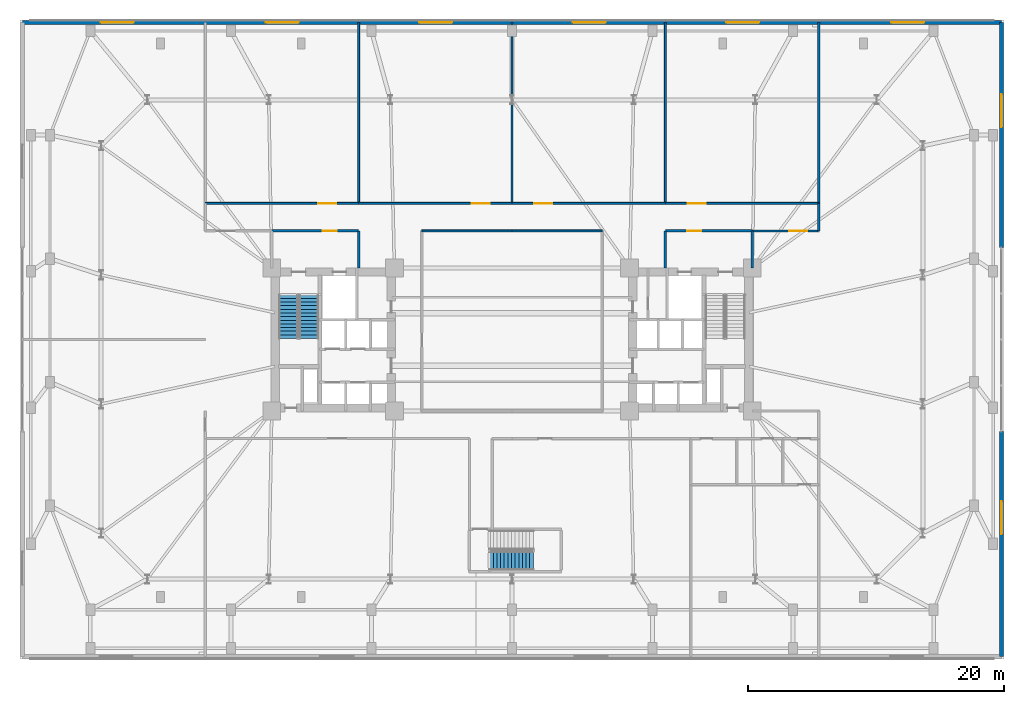
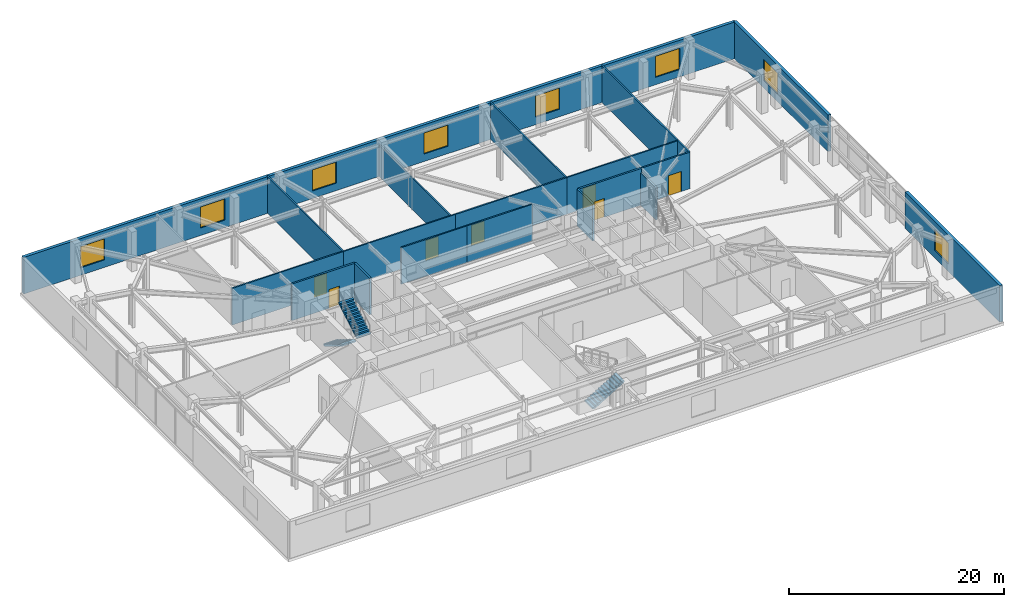
# One storey, part 17 of 23: 20 walls, 8 windows, 7 doors, 3 stair flights, 15 openings, 2 elements without a shape of their own.
"""IFC4 building model written with IfcOpenShell, lengths in metres."""

from ifc_helpers import new_model, si_unit, direction, frame, frame_2d, origin, place, context, subcontext, project, spatial, polyline, rectangle, outline, extrude, material, layer, layer_set, type_object, element, fill, aggregate, save


model = new_model("IFC4")

# Units and contexts
model_context = context("Model", 3, precision=1e-05, world=origin(), true_north=direction((0.0, 1.0)))
body_context = subcontext(model_context, "Body", "Model", "MODEL_VIEW")
ifc_project = project(units=[si_unit("LENGTHUNIT", "METRE"), si_unit("AREAUNIT", "SQUARE_METRE"), si_unit("VOLUMEUNIT", "CUBIC_METRE"), si_unit("PLANEANGLEUNIT", "RADIAN"), si_unit("MASSUNIT", "GRAM", prefix="KILO")], contexts=[model_context])

# Site, building, storey
site_placement = place(None, origin())
site = spatial("IfcSite", under=ifc_project, at=site_placement, CompositionType="ELEMENT")
building_placement = place(site_placement, origin())
building = spatial("IfcBuilding", under=site, at=building_placement, Name="Qobustan Lattice House", CompositionType="ELEMENT")
storey_placement = place(building_placement, frame((0.0, 0.0, 9.0)))
storey = spatial("IfcBuildingStorey", under=building, at=storey_placement, Name="L02", CompositionType="ELEMENT", Elevation=9.0)

# Wall, openings, windows
ifc_material_1 = material(Name="Precast concrete C40/50", Category="concrete")
ifc_layer_1 = layer(ifc_material_1, 0.320068359375)
ifc_layer_set_1 = layer_set([ifc_layer_1], Name="Precast concrete C40/50")
wall_type_1 = type_object("IfcWallType", Name="WAL-EXT-STONE-320", PredefinedType="SOLIDWALL", material=ifc_layer_set_1)
wall_1_placement = place(storey_placement, frame((-38.300048828125, 24.800048828125, 0.0), z_axis=(0.0, 0.0, 1.0), x_axis=(1.0, 0.0, 0.0)))
wall_1 = element("IfcWall", 1, at=wall_1_placement, inside=storey, type_object=wall_type_1, Name="L02 exterior limestone-clad wall 2", PredefinedType="SOLIDWALL", context=body_context, shape_type="SweptSolid", body=[
    extrude(rectangle(XDim=76.60009765625, YDim=0.320068359375, at=frame_2d((38.300048828125, 0.0))), origin(), (0.0, 0.0, 1.0), 4.169921875),
])
opening_1_placement = place(wall_1_placement, frame((6.10400390625, 0.0, 0.85009765625)))
opening_1 = element("IfcOpeningElement", 2, at=opening_1_placement, cuts=wall_1, Name="Opening WN-06", PredefinedType="OPENING", context=body_context, shape_type="SweptSolid", body=[
    extrude(rectangle(XDim=2.60009765625, YDim=2.39990234375, at=frame_2d((1.300048828125, 1.199951171875))), frame((0.0, 0.169921875, 0.0), z_axis=(0.0, -1.0, 0.0), x_axis=(1.0, 0.0, 0.0)), (0.0, 0.0, 1.0), 0.340087890625),
])
opening_2_placement = place(wall_1_placement, frame((19.030517578125, 0.0, 0.85009765625)))
opening_2 = element("IfcOpeningElement", 3, at=opening_2_placement, cuts=wall_1, Name="Opening WN-06", PredefinedType="OPENING", context=body_context, shape_type="SweptSolid", body=[
    extrude(rectangle(XDim=2.60009765625, YDim=2.39990234375, at=frame_2d((1.300048828125, 1.199951171875))), frame((0.0, 0.169921875, 0.0), z_axis=(0.0, -1.0, 0.0), x_axis=(1.0, 0.0, 0.0)), (0.0, 0.0, 1.0), 0.340087890625),
])
opening_3_placement = place(wall_1_placement, frame((31.036865234375, 0.0, 0.85009765625)))
opening_3 = element("IfcOpeningElement", 4, at=opening_3_placement, cuts=wall_1, Name="Opening WN-06", PredefinedType="OPENING", context=body_context, shape_type="SweptSolid", body=[
    extrude(rectangle(XDim=2.60009765625, YDim=2.39990234375, at=frame_2d((1.300048828125, 1.199951171875))), frame((0.0, 0.169921875, 0.0), z_axis=(0.0, -1.0, 0.0), x_axis=(1.0, 0.0, 0.0)), (0.0, 0.0, 1.0), 0.340087890625),
])
opening_4_placement = place(wall_1_placement, frame((43.043212890625, 0.0, 0.85009765625)))
opening_4 = element("IfcOpeningElement", 5, at=opening_4_placement, cuts=wall_1, Name="Opening WN-06", PredefinedType="OPENING", context=body_context, shape_type="SweptSolid", body=[
    extrude(rectangle(XDim=2.60009765625, YDim=2.39990234375, at=frame_2d((1.300048828125, 1.199951171875))), frame((0.0, 0.169921875, 0.0), z_axis=(0.0, -1.0, 0.0), x_axis=(1.0, 0.0, 0.0)), (0.0, 0.0, 1.0), 0.340087890625),
])
opening_5_placement = place(wall_1_placement, frame((55.04931640625, 0.0, 0.85009765625)))
opening_5 = element("IfcOpeningElement", 6, at=opening_5_placement, cuts=wall_1, Name="Opening WN-06", PredefinedType="OPENING", context=body_context, shape_type="SweptSolid", body=[
    extrude(rectangle(XDim=2.60009765625, YDim=2.39990234375, at=frame_2d((1.300048828125, 1.199951171875))), frame((0.0, 0.169921875, 0.0), z_axis=(0.0, -1.0, 0.0), x_axis=(1.0, 0.0, 0.0)), (0.0, 0.0, 1.0), 0.340087890625),
])
opening_6_placement = place(wall_1_placement, frame((67.976318359375, 0.0, 0.85009765625)))
opening_6 = element("IfcOpeningElement", 7, at=opening_6_placement, cuts=wall_1, Name="Opening WN-06", PredefinedType="OPENING", context=body_context, shape_type="SweptSolid", body=[
    extrude(rectangle(XDim=2.60009765625, YDim=2.39990234375, at=frame_2d((1.300048828125, 1.199951171875))), frame((0.0, 0.169921875, 0.0), z_axis=(0.0, -1.0, 0.0), x_axis=(1.0, 0.0, 0.0)), (0.0, 0.0, 1.0), 0.340087890625),
])
ifc_material_2 = material(Name="Double-glazed low-E aluminium window", Category="aluminium")
window_type = type_object("IfcWindowType", Name="WIN-POD-2600x2400", PartitioningType="SINGLE_PANEL", PredefinedType="WINDOW", material=ifc_material_2)
window_1_placement = place(opening_1_placement, origin())
window_1 = element("IfcWindow", 8, at=window_1_placement, inside=storey, type_object=window_type, Name="L02 3D printing and laser workshop window", OverallHeight=2.39990234375, OverallWidth=2.60009765625, PartitioningType="SINGLE_PANEL", PredefinedType="WINDOW", context=body_context, shape_type="SweptSolid", body=[
    extrude(rectangle(XDim=2.60009765625, YDim=2.39990234375, at=frame_2d((1.300048828125, 1.199951171875))), frame((0.0, 0.030029296875, 0.0), z_axis=(0.0, -1.0, 0.0), x_axis=(1.0, 0.0, 0.0)), (0.0, 0.0, 1.0), 0.06005859375),
])
fill(opening_1, window_1)
window_2_placement = place(opening_2_placement, origin())
window_2 = element("IfcWindow", 9, at=window_2_placement, inside=storey, type_object=window_type, Name="L02 Design studio A window", OverallHeight=2.39990234375, OverallWidth=2.60009765625, PartitioningType="SINGLE_PANEL", PredefinedType="WINDOW", context=body_context, shape_type="SweptSolid", body=[
    extrude(rectangle(XDim=2.60009765625, YDim=2.39990234375, at=frame_2d((1.300048828125, 1.199951171875))), frame((0.0, 0.030029296875, 0.0), z_axis=(0.0, -1.0, 0.0), x_axis=(1.0, 0.0, 0.0)), (0.0, 0.0, 1.0), 0.06005859375),
])
fill(opening_2, window_2)
window_3_placement = place(opening_3_placement, origin())
window_3 = element("IfcWindow", 10, at=window_3_placement, inside=storey, type_object=window_type, Name="L02 Design studio B window", OverallHeight=2.39990234375, OverallWidth=2.60009765625, PartitioningType="SINGLE_PANEL", PredefinedType="WINDOW", context=body_context, shape_type="SweptSolid", body=[
    extrude(rectangle(XDim=2.60009765625, YDim=2.39990234375, at=frame_2d((1.300048828125, 1.199951171875))), frame((0.0, 0.030029296875, 0.0), z_axis=(0.0, -1.0, 0.0), x_axis=(1.0, 0.0, 0.0)), (0.0, 0.0, 1.0), 0.06005859375),
])
fill(opening_3, window_3)
window_4_placement = place(opening_4_placement, origin())
window_4 = element("IfcWindow", 11, at=window_4_placement, inside=storey, type_object=window_type, Name="L02 Robotics laboratory window", OverallHeight=2.39990234375, OverallWidth=2.60009765625, PartitioningType="SINGLE_PANEL", PredefinedType="WINDOW", context=body_context, shape_type="SweptSolid", body=[
    extrude(rectangle(XDim=2.60009765625, YDim=2.39990234375, at=frame_2d((1.300048828125, 1.199951171875))), frame((0.0, 0.030029296875, 0.0), z_axis=(0.0, -1.0, 0.0), x_axis=(1.0, 0.0, 0.0)), (0.0, 0.0, 1.0), 0.06005859375),
])
fill(opening_4, window_4)
window_5_placement = place(opening_5_placement, origin())
window_5 = element("IfcWindow", 12, at=window_5_placement, inside=storey, type_object=window_type, Name="L02 Electronics workshop window", OverallHeight=2.39990234375, OverallWidth=2.60009765625, PartitioningType="SINGLE_PANEL", PredefinedType="WINDOW", context=body_context, shape_type="SweptSolid", body=[
    extrude(rectangle(XDim=2.60009765625, YDim=2.39990234375, at=frame_2d((1.300048828125, 1.199951171875))), frame((0.0, 0.030029296875, 0.0), z_axis=(0.0, -1.0, 0.0), x_axis=(1.0, 0.0, 0.0)), (0.0, 0.0, 1.0), 0.06005859375),
])
fill(opening_5, window_5)
window_6_placement = place(opening_6_placement, origin())
window_6 = element("IfcWindow", 13, at=window_6_placement, inside=storey, type_object=window_type, Name="L02 Design exhibition hall window", OverallHeight=2.39990234375, OverallWidth=2.60009765625, PartitioningType="SINGLE_PANEL", PredefinedType="WINDOW", context=body_context, shape_type="SweptSolid", body=[
    extrude(rectangle(XDim=2.60009765625, YDim=2.39990234375, at=frame_2d((1.300048828125, 1.199951171875))), frame((0.0, 0.030029296875, 0.0), z_axis=(0.0, -1.0, 0.0), x_axis=(1.0, 0.0, 0.0)), (0.0, 0.0, 1.0), 0.06005859375),
])
fill(opening_6, window_6)

# Wall, opening, window
wall_2_placement = place(storey_placement, frame((38.300048828125, 24.800048828125, 0.0), z_axis=(0.0, 0.0, 1.0), x_axis=(0.0, -1.0, 0.0)))
wall_2 = element("IfcWall", 14, at=wall_2_placement, inside=storey, type_object=wall_type_1, Name="L02 podium stone wall 3A", PredefinedType="SOLIDWALL", context=body_context, shape_type="SweptSolid", body=[
    extrude(rectangle(XDim=17.60009765625, YDim=0.320068359375, at=frame_2d((8.800048828125, 0.0))), origin(), (0.0, 0.0, 1.0), 4.169921875),
])
opening_7_placement = place(wall_2_placement, frame((5.592041015625, 0.0, 0.85009765625)))
opening_7 = element("IfcOpeningElement", 15, at=opening_7_placement, cuts=wall_2, Name="Opening WN-06", PredefinedType="OPENING", context=body_context, shape_type="SweptSolid", body=[
    extrude(rectangle(XDim=2.60009765625, YDim=2.39990234375, at=frame_2d((1.300048828125, 1.199951171875))), frame((0.0, 0.169921875, 0.0), z_axis=(0.0, -1.0, 0.0), x_axis=(1.0, 0.0, 0.0)), (0.0, 0.0, 1.0), 0.340087890625),
])
window_7_placement = place(opening_7_placement, origin())
window_7 = element("IfcWindow", 16, at=window_7_placement, inside=storey, type_object=window_type, Name="L02 Design exhibition hall window", OverallHeight=2.39990234375, OverallWidth=2.60009765625, PartitioningType="SINGLE_PANEL", PredefinedType="WINDOW", context=body_context, shape_type="SweptSolid", body=[
    extrude(rectangle(XDim=2.60009765625, YDim=2.39990234375, at=frame_2d((1.300048828125, 1.199951171875))), frame((0.0, 0.030029296875, 0.0), z_axis=(0.0, -1.0, 0.0), x_axis=(1.0, 0.0, 0.0)), (0.0, 0.0, 1.0), 0.06005859375),
])
fill(opening_7, window_7)

wall_3_placement = place(storey_placement, frame((38.300048828125, -7.199951171875, 0.0), z_axis=(0.0, 0.0, 1.0), x_axis=(0.0, -1.0, 0.0)))
wall_3 = element("IfcWall", 17, at=wall_3_placement, inside=storey, type_object=wall_type_1, Name="L02 podium stone wall 3B", PredefinedType="SOLIDWALL", context=body_context, shape_type="SweptSolid", body=[
    extrude(rectangle(XDim=17.60009765625, YDim=0.320068359375, at=frame_2d((8.800048828125, 0.0))), origin(), (0.0, 0.0, 1.0), 4.169921875),
])
opening_8_placement = place(wall_3_placement, frame((5.43994140625, 0.0, 0.85009765625)))
opening_8 = element("IfcOpeningElement", 18, at=opening_8_placement, cuts=wall_3, Name="Opening WN-06", PredefinedType="OPENING", context=body_context, shape_type="SweptSolid", body=[
    extrude(rectangle(XDim=2.60009765625, YDim=2.39990234375, at=frame_2d((1.300048828125, 1.199951171875))), frame((0.0, 0.169921875, 0.0), z_axis=(0.0, -1.0, 0.0), x_axis=(1.0, 0.0, 0.0)), (0.0, 0.0, 1.0), 0.340087890625),
])
window_8_placement = place(opening_8_placement, origin())
window_8 = element("IfcWindow", 19, at=window_8_placement, inside=storey, type_object=window_type, Name="L02 Design exhibition hall window", OverallHeight=2.39990234375, OverallWidth=2.60009765625, PartitioningType="SINGLE_PANEL", PredefinedType="WINDOW", context=body_context, shape_type="SweptSolid", body=[
    extrude(rectangle(XDim=2.60009765625, YDim=2.39990234375, at=frame_2d((1.300048828125, 1.199951171875))), frame((0.0, 0.030029296875, 0.0), z_axis=(0.0, -1.0, 0.0), x_axis=(1.0, 0.0, 0.0)), (0.0, 0.0, 1.0), 0.06005859375),
])
fill(opening_8, window_8)

# Wall, opening, door
ifc_material_3 = material(Name="Acoustic twin-stud gypsum partition", Category="gypsum")
ifc_layer_2 = layer(ifc_material_3, 0.14990234375)
ifc_layer_set_2 = layer_set([ifc_layer_2], Name="Acoustic twin-stud gypsum partition")
wall_type_2 = type_object("IfcWallType", Name="WAL-PART-150", PredefinedType="PARTITIONING", material=ifc_layer_set_2)
wall_4_placement = place(storey_placement, frame((-24.0, 10.64990234375, 0.0), z_axis=(0.0, 0.0, 1.0), x_axis=(1.0, 0.0, 0.0)))
wall_4 = element("IfcWall", 20, at=wall_4_placement, inside=storey, type_object=wall_type_2, Name="L02 interior partition 38", PredefinedType="PARTITIONING", context=body_context, shape_type="SweptSolid", body=[
    extrude(rectangle(XDim=12.0, YDim=0.14990234375, at=frame_2d((6.0, 0.0))), origin(), (0.0, 0.0, 1.0), 4.169921875),
])
opening_9_placement = place(wall_4_placement, frame((8.840087890625, 0.0, 0.0)))
opening_9 = element("IfcOpeningElement", 21, at=opening_9_placement, cuts=wall_4, Name="Opening ID-04", PredefinedType="OPENING", context=body_context, shape_type="SweptSolid", body=[
    extrude(rectangle(XDim=1.39990234375, YDim=2.300048828125, at=frame_2d((0.699951171875, 1.14990234375))), frame((0.0, 0.0849609375, 0.0), z_axis=(0.0, -1.0, 0.0), x_axis=(1.0, 0.0, 0.0)), (0.0, 0.0, 1.0), 0.169921875),
])
ifc_material_4 = material(Name="Persian walnut timber and steel frame door", Category="steel")
door_type_1 = type_object("IfcDoorType", Name="DOR-POD-1400x2300", OperationType="NOTDEFINED", PredefinedType="DOOR", material=ifc_material_4)
door_1_placement = place(opening_9_placement, origin())
door_1 = element("IfcDoor", 22, at=door_1_placement, inside=storey, type_object=door_type_1, Name="L02 North-west podium corridor to Design studio A door", OperationType="SINGLE_SWING_LEFT", OverallHeight=2.300048828125, OverallWidth=1.39990234375, PredefinedType="DOOR", context=body_context, shape_type="SweptSolid", body=[
    extrude(rectangle(XDim=1.39990234375, YDim=2.300048828125, at=frame_2d((0.699951171875, 1.14990234375))), frame((0.0, 0.02490234375, 0.0), z_axis=(0.0, -1.0, 0.0), x_axis=(1.0, 0.0, 0.0)), (0.0, 0.0, 1.0), 0.050048828125),
])
fill(opening_9, door_1)

wall_5_placement = place(storey_placement, frame((-12.0, 10.64990234375, 0.0), z_axis=(0.0, 0.0, 1.0), x_axis=(1.0, 0.0, 0.0)))
wall_5 = element("IfcWall", 23, at=wall_5_placement, inside=storey, type_object=wall_type_2, Name="L02 interior partition 39", PredefinedType="PARTITIONING", context=body_context, shape_type="SweptSolid", body=[
    extrude(rectangle(XDim=12.0, YDim=0.14990234375, at=frame_2d((6.0, 0.0))), origin(), (0.0, 0.0, 1.0), 4.169921875),
])
opening_10_placement = place(wall_5_placement, frame((8.840087890625, 0.0, 0.0)))
opening_10 = element("IfcOpeningElement", 24, at=opening_10_placement, cuts=wall_5, Name="Opening ID-04", PredefinedType="OPENING", context=body_context, shape_type="SweptSolid", body=[
    extrude(rectangle(XDim=1.39990234375, YDim=2.300048828125, at=frame_2d((0.699951171875, 1.14990234375))), frame((0.0, 0.0849609375, 0.0), z_axis=(0.0, -1.0, 0.0), x_axis=(1.0, 0.0, 0.0)), (0.0, 0.0, 1.0), 0.169921875),
])
door_2_placement = place(opening_10_placement, origin())
door_2 = element("IfcDoor", 25, at=door_2_placement, inside=storey, type_object=door_type_1, Name="L02 North-west podium corridor to Design studio B door", OperationType="SINGLE_SWING_RIGHT", OverallHeight=2.300048828125, OverallWidth=1.39990234375, PredefinedType="DOOR", context=body_context, shape_type="SweptSolid", body=[
    extrude(rectangle(XDim=1.39990234375, YDim=2.300048828125, at=frame_2d((0.699951171875, 1.14990234375))), frame((0.0, 0.02490234375, 0.0), z_axis=(0.0, -1.0, 0.0), x_axis=(1.0, 0.0, 0.0)), (0.0, 0.0, 1.0), 0.050048828125),
])
fill(opening_10, door_2)

# Wall
wall_6_placement = place(storey_placement, frame((0.0, 8.5, 0.0), z_axis=(0.0, 0.0, 1.0), x_axis=(-1.0, 0.0, 0.0)))
element("IfcWall", 26, at=wall_6_placement, inside=storey, type_object=wall_type_2, Name="L02 interior partition 40", PredefinedType="PARTITIONING", context=body_context, shape_type="SweptSolid", body=[
    extrude(rectangle(XDim=7.050048828125, YDim=0.14990234375, at=frame_2d((3.52490234375, 0.0))), origin(), (0.0, 0.0, 1.0), 4.169921875),
])

# Wall, opening, door
wall_7_placement = place(storey_placement, frame((0.0, 10.64990234375, 0.0), z_axis=(0.0, 0.0, 1.0), x_axis=(1.0, 0.0, 0.0)))
wall_7 = element("IfcWall", 27, at=wall_7_placement, inside=storey, type_object=wall_type_2, Name="L02 interior partition 41", PredefinedType="PARTITIONING", context=body_context, shape_type="SweptSolid", body=[
    extrude(rectangle(XDim=12.0, YDim=0.14990234375, at=frame_2d((6.0, 0.0))), origin(), (0.0, 0.0, 1.0), 4.169921875),
])
opening_11_placement = place(wall_7_placement, frame((1.760009765625, 0.0, 0.0)))
opening_11 = element("IfcOpeningElement", 28, at=opening_11_placement, cuts=wall_7, Name="Opening ID-04", PredefinedType="OPENING", context=body_context, shape_type="SweptSolid", body=[
    extrude(rectangle(XDim=1.39990234375, YDim=2.300048828125, at=frame_2d((0.699951171875, 1.14990234375))), frame((0.0, 0.0849609375, 0.0), z_axis=(0.0, -1.0, 0.0), x_axis=(1.0, 0.0, 0.0)), (0.0, 0.0, 1.0), 0.169921875),
])
door_3_placement = place(opening_11_placement, origin())
door_3 = element("IfcDoor", 29, at=door_3_placement, inside=storey, type_object=door_type_1, Name="L02 North-east podium corridor to Robotics laboratory door", OperationType="SINGLE_SWING_LEFT", OverallHeight=2.300048828125, OverallWidth=1.39990234375, PredefinedType="DOOR", context=body_context, shape_type="SweptSolid", body=[
    extrude(rectangle(XDim=1.39990234375, YDim=2.300048828125, at=frame_2d((0.699951171875, 1.14990234375))), frame((0.0, 0.02490234375, 0.0), z_axis=(0.0, -1.0, 0.0), x_axis=(1.0, 0.0, 0.0)), (0.0, 0.0, 1.0), 0.050048828125),
])
fill(opening_11, door_3)

wall_8_placement = place(storey_placement, frame((12.0, 10.64990234375, 0.0), z_axis=(0.0, 0.0, 1.0), x_axis=(1.0, 0.0, 0.0)))
wall_8 = element("IfcWall", 30, at=wall_8_placement, inside=storey, type_object=wall_type_2, Name="L02 interior partition 42", PredefinedType="PARTITIONING", context=body_context, shape_type="SweptSolid", body=[
    extrude(rectangle(XDim=12.0, YDim=0.14990234375, at=frame_2d((6.0, 0.0))), origin(), (0.0, 0.0, 1.0), 4.169921875),
])
opening_12_placement = place(wall_8_placement, frame((1.760009765625, 0.0, 0.0)))
opening_12 = element("IfcOpeningElement", 31, at=opening_12_placement, cuts=wall_8, Name="Opening ID-04", PredefinedType="OPENING", context=body_context, shape_type="SweptSolid", body=[
    extrude(rectangle(XDim=1.39990234375, YDim=2.300048828125, at=frame_2d((0.699951171875, 1.14990234375))), frame((0.0, 0.0849609375, 0.0), z_axis=(0.0, -1.0, 0.0), x_axis=(1.0, 0.0, 0.0)), (0.0, 0.0, 1.0), 0.169921875),
])
door_4_placement = place(opening_12_placement, origin())
door_4 = element("IfcDoor", 32, at=door_4_placement, inside=storey, type_object=door_type_1, Name="L02 North-east podium corridor to Electronics workshop door", OperationType="SINGLE_SWING_RIGHT", OverallHeight=2.300048828125, OverallWidth=1.39990234375, PredefinedType="DOOR", context=body_context, shape_type="SweptSolid", body=[
    extrude(rectangle(XDim=1.39990234375, YDim=2.300048828125, at=frame_2d((0.699951171875, 1.14990234375))), frame((0.0, 0.02490234375, 0.0), z_axis=(0.0, -1.0, 0.0), x_axis=(1.0, 0.0, 0.0)), (0.0, 0.0, 1.0), 0.050048828125),
])
fill(opening_12, door_4)

# Walls
wall_9_placement = place(storey_placement, frame((7.050048828125, 8.5, 0.0), z_axis=(0.0, 0.0, 1.0), x_axis=(-1.0, 0.0, 0.0)))
element("IfcWall", 33, at=wall_9_placement, inside=storey, type_object=wall_type_2, Name="L02 interior partition 43", PredefinedType="PARTITIONING", context=body_context, shape_type="SweptSolid", body=[
    extrude(rectangle(XDim=7.050048828125, YDim=0.14990234375, at=frame_2d((3.52490234375, 0.0))), origin(), (0.0, 0.0, 1.0), 4.169921875),
])
wall_10_placement = place(storey_placement, frame((-12.0, 24.800048828125, 0.0), z_axis=(0.0, 0.0, 1.0), x_axis=(0.0, -1.0, 0.0)))
element("IfcWall", 34, at=wall_10_placement, inside=storey, type_object=wall_type_2, Name="L02 interior partition 64", PredefinedType="PARTITIONING", context=body_context, shape_type="SweptSolid", body=[
    extrude(rectangle(XDim=14.150146484375, YDim=0.14990234375, at=frame_2d((7.0751953125, 0.0))), origin(), (0.0, 0.0, 1.0), 4.169921875),
])
wall_11_placement = place(storey_placement, frame((0.0, 24.800048828125, 0.0), z_axis=(0.0, 0.0, 1.0), x_axis=(0.0, -1.0, 0.0)))
element("IfcWall", 35, at=wall_11_placement, inside=storey, type_object=wall_type_2, Name="L02 interior partition 65", PredefinedType="PARTITIONING", context=body_context, shape_type="SweptSolid", body=[
    extrude(rectangle(XDim=14.150146484375, YDim=0.14990234375, at=frame_2d((7.0751953125, 0.0))), origin(), (0.0, 0.0, 1.0), 3.554931640625),
])
wall_12_placement = place(storey_placement, frame((12.0, 24.800048828125, 0.0), z_axis=(0.0, 0.0, 1.0), x_axis=(0.0, -1.0, 0.0)))
element("IfcWall", 36, at=wall_12_placement, inside=storey, type_object=wall_type_2, Name="L02 interior partition 66", PredefinedType="PARTITIONING", context=body_context, shape_type="SweptSolid", body=[
    extrude(rectangle(XDim=14.150146484375, YDim=0.14990234375, at=frame_2d((7.0751953125, 0.0))), origin(), (0.0, 0.0, 1.0), 4.169921875),
])

# Wall, opening, door
ifc_material_5 = material(Name="High-mass acoustic twin-stud partition", Category="gypsum")
ifc_layer_3 = layer(ifc_material_5, 0.1650390625)
ifc_layer_set_3 = layer_set([ifc_layer_3], Name="High-mass acoustic twin-stud partition")
wall_type_3 = type_object("IfcWallType", Name="WAL-PART-165", PredefinedType="PARTITIONING", material=ifc_layer_set_3)
wall_13_placement = place(storey_placement, frame((24.0, 8.5, 0.0), z_axis=(0.0, 0.0, 1.0), x_axis=(-1.0, 0.0, 0.0)))
wall_13 = element("IfcWall", 37, at=wall_13_placement, inside=storey, type_object=wall_type_3, Name="L02 interior partition 44", PredefinedType="PARTITIONING", context=body_context, shape_type="SweptSolid", body=[
    extrude(rectangle(XDim=5.199951171875, YDim=0.1650390625, at=frame_2d((2.60009765625, 0.0))), origin(), (0.0, 0.0, 1.0), 4.169921875),
])
opening_13_placement = place(wall_13_placement, frame((0.909912109375, 0.0, 0.0)))
opening_13 = element("IfcOpeningElement", 38, at=opening_13_placement, cuts=wall_13, Name="Opening ID-04", PredefinedType="OPENING", context=body_context, shape_type="SweptSolid", body=[
    extrude(rectangle(XDim=1.39990234375, YDim=2.300048828125, at=frame_2d((0.699951171875, 1.14990234375))), frame((0.0, 0.092529296875, 0.0), z_axis=(0.0, -1.0, 0.0), x_axis=(1.0, 0.0, 0.0)), (0.0, 0.0, 1.0), 0.18505859375),
])
door_5_placement = place(opening_13_placement, origin())
door_5 = element("IfcDoor", 39, at=door_5_placement, inside=storey, type_object=door_type_1, Name="L02 North-east podium corridor to Design exhibition hall door", OperationType="SINGLE_SWING_LEFT", OverallHeight=2.300048828125, OverallWidth=1.39990234375, PredefinedType="DOOR", context=body_context, shape_type="SweptSolid", body=[
    extrude(rectangle(XDim=1.39990234375, YDim=2.300048828125, at=frame_2d((0.699951171875, 1.14990234375))), frame((0.0, 0.02490234375, 0.0), z_axis=(0.0, -1.0, 0.0), x_axis=(1.0, 0.0, 0.0)), (0.0, 0.0, 1.0), 0.050048828125),
])
fill(opening_13, door_5)

# Walls
wall_14_placement = place(storey_placement, frame((24.0, 10.64990234375, 0.0), z_axis=(0.0, 0.0, 1.0), x_axis=(0.0, -1.0, 0.0)))
element("IfcWall", 40, at=wall_14_placement, inside=storey, type_object=wall_type_3, Name="L02 interior partition 45", PredefinedType="PARTITIONING", context=body_context, shape_type="SweptSolid", body=[
    extrude(rectangle(XDim=2.14990234375, YDim=0.1650390625, at=frame_2d((1.074951171875, 0.0))), origin(), (0.0, 0.0, 1.0), 4.169921875),
])
wall_15_placement = place(storey_placement, frame((24.0, 24.800048828125, 0.0), z_axis=(0.0, 0.0, 1.0), x_axis=(0.0, -1.0, 0.0)))
element("IfcWall", 41, at=wall_15_placement, inside=storey, type_object=wall_type_3, Name="L02 interior partition 67", PredefinedType="PARTITIONING", context=body_context, shape_type="SweptSolid", body=[
    extrude(rectangle(XDim=14.150146484375, YDim=0.1650390625, at=frame_2d((7.0751953125, 0.0))), origin(), (0.0, 0.0, 1.0), 4.169921875),
])

# Wall, opening, door
ifc_material_6 = material(Name="Two-hour gypsum fireboard acoustic partition", Category="gypsum")
ifc_layer_4 = layer(ifc_material_6, 0.199951171875)
ifc_layer_set_4 = layer_set([ifc_layer_4], Name="Two-hour gypsum fireboard acoustic partition")
wall_type_4 = type_object("IfcWallType", Name="WAL-PROT-200", PredefinedType="PARTITIONING", material=ifc_layer_set_4)
wall_16_placement = place(storey_placement, frame((-12.0, 8.5, 0.0), z_axis=(0.0, 0.0, 1.0), x_axis=(-1.0, 0.0, 0.0)))
wall_16 = element("IfcWall", 42, at=wall_16_placement, inside=storey, type_object=wall_type_4, Name="L02 interior partition 3", PredefinedType="PARTITIONING", context=body_context, shape_type="SweptSolid", body=[
    extrude(rectangle(XDim=6.800048828125, YDim=0.199951171875, at=frame_2d((3.39990234375, 0.0))), origin(), (0.0, 0.0, 1.0), 4.169921875),
])
opening_14_placement = place(wall_16_placement, frame((1.715087890625, 0.0, 0.0)))
opening_14 = element("IfcOpeningElement", 43, at=opening_14_placement, cuts=wall_16, Name="Opening SD-01", PredefinedType="OPENING", context=body_context, shape_type="SweptSolid", body=[
    extrude(rectangle(XDim=1.10009765625, YDim=2.14990234375, at=frame_2d((0.550048828125, 1.074951171875))), frame((0.0, 0.10986328125, 0.0), z_axis=(0.0, -1.0, 0.0), x_axis=(1.0, 0.0, 0.0)), (0.0, 0.0, 1.0), 0.219970703125),
])
ifc_material_7 = material(Name="Persian walnut timber and steel frame door", Category="steel")
door_type_2 = type_object("IfcDoorType", Name="DOR-STAIR-FD-1100x2150", OperationType="NOTDEFINED", PredefinedType="DOOR", material=ifc_material_7)
door_6_placement = place(opening_14_placement, origin())
door_6 = element("IfcDoor", 44, at=door_6_placement, inside=storey, type_object=door_type_2, Name="L02 West firefighting lift lobby to North-west podium corridor door", OperationType="SINGLE_SWING_LEFT", OverallHeight=2.14990234375, OverallWidth=1.10009765625, PredefinedType="DOOR", context=body_context, shape_type="SweptSolid", body=[
    extrude(rectangle(XDim=1.10009765625, YDim=2.14990234375, at=frame_2d((0.550048828125, 1.074951171875))), frame((0.0, 0.02490234375, 0.0), z_axis=(0.0, -1.0, 0.0), x_axis=(1.0, 0.0, 0.0)), (0.0, 0.0, 1.0), 0.050048828125),
])
fill(opening_14, door_6)

# Wall
wall_17_placement = place(storey_placement, frame((-12.0, 5.60009765625, 0.0), z_axis=(0.0, 0.0, 1.0), x_axis=(0.0, 1.0, 0.0)))
element("IfcWall", 45, at=wall_17_placement, inside=storey, type_object=wall_type_4, Name="L02 interior partition 4", PredefinedType="PARTITIONING", context=body_context, shape_type="SweptSolid", body=[
    extrude(rectangle(XDim=2.89990234375, YDim=0.199951171875, at=frame_2d((1.449951171875, 0.0))), origin(), (0.0, 0.0, 1.0), 4.169921875),
])

# Wall, opening, door
wall_18_placement = place(storey_placement, frame((18.800048828125, 8.5, 0.0), z_axis=(0.0, 0.0, 1.0), x_axis=(-1.0, 0.0, 0.0)))
wall_18 = element("IfcWall", 46, at=wall_18_placement, inside=storey, type_object=wall_type_4, Name="L02 interior partition 20", PredefinedType="PARTITIONING", context=body_context, shape_type="SweptSolid", body=[
    extrude(rectangle(XDim=6.800048828125, YDim=0.199951171875, at=frame_2d((3.39990234375, 0.0))), origin(), (0.0, 0.0, 1.0), 4.169921875),
])
opening_15_placement = place(wall_18_placement, frame((3.985107421875, 0.0, 0.0)))
opening_15 = element("IfcOpeningElement", 47, at=opening_15_placement, cuts=wall_18, Name="Opening SD-01", PredefinedType="OPENING", context=body_context, shape_type="SweptSolid", body=[
    extrude(rectangle(XDim=1.10009765625, YDim=2.14990234375, at=frame_2d((0.550048828125, 1.074951171875))), frame((0.0, 0.10986328125, 0.0), z_axis=(0.0, -1.0, 0.0), x_axis=(1.0, 0.0, 0.0)), (0.0, 0.0, 1.0), 0.219970703125),
])
door_7_placement = place(opening_15_placement, origin())
door_7 = element("IfcDoor", 48, at=door_7_placement, inside=storey, type_object=door_type_2, Name="L02 East firefighting lift lobby to North-east podium corridor door", OperationType="SINGLE_SWING_RIGHT", OverallHeight=2.14990234375, OverallWidth=1.10009765625, PredefinedType="DOOR", context=body_context, shape_type="SweptSolid", body=[
    extrude(rectangle(XDim=1.10009765625, YDim=2.14990234375, at=frame_2d((0.550048828125, 1.074951171875))), frame((0.0, 0.02490234375, 0.0), z_axis=(0.0, -1.0, 0.0), x_axis=(1.0, 0.0, 0.0)), (0.0, 0.0, 1.0), 0.050048828125),
])
fill(opening_15, door_7)

# Walls
wall_19_placement = place(storey_placement, frame((12.0, 8.5, 0.0), z_axis=(0.0, 0.0, 1.0), x_axis=(0.0, -1.0, 0.0)))
element("IfcWall", 49, at=wall_19_placement, inside=storey, type_object=wall_type_4, Name="L02 interior partition 21", PredefinedType="PARTITIONING", context=body_context, shape_type="SweptSolid", body=[
    extrude(rectangle(XDim=2.89990234375, YDim=0.199951171875, at=frame_2d((1.449951171875, 0.0))), origin(), (0.0, 0.0, 1.0), 4.169921875),
])
wall_20_placement = place(storey_placement, frame((18.800048828125, 5.60009765625, 0.0), z_axis=(0.0, 0.0, 1.0), x_axis=(0.0, 1.0, 0.0)))
element("IfcWall", 50, at=wall_20_placement, inside=storey, type_object=wall_type_4, Name="L02 interior partition 22", PredefinedType="PARTITIONING", context=body_context, shape_type="SweptSolid", body=[
    extrude(rectangle(XDim=2.89990234375, YDim=0.199951171875, at=frame_2d((1.449951171875, 0.0))), origin(), (0.0, 0.0, 1.0), 3.655029296875),
])

# Stair, stair flights
ifc_material_8 = material(Name="Concrete C40/50", Category="concrete")
stair_type_1 = type_object("IfcStairType", Name="STR-CORE-DOGLEG", PredefinedType="HALF_TURN_STAIR", material=ifc_material_8)
stair_1_placement = place(storey_placement, origin())
stair_1 = element("IfcStair", 51, at=stair_1_placement, inside=storey, type_object=stair_type_1, Name="L02 West protected exit stair ST-W1", PredefinedType="HALF_TURN_STAIR")
ifc_material_9 = material(Name="Concrete C40/50", Category="concrete")
stair_flight_type = type_object("IfcStairFlightType", Name="SFL-RC-1500", PredefinedType="STRAIGHT", material=ifc_material_9)
stair_flight_1_placement = place(storey_placement, frame((-17.5, 3.5, 0.0), z_axis=(0.0, 0.0, 1.0), x_axis=(0.0, -1.0, 0.0)))
stair_flight_1 = element("IfcStairFlight", 52, at=stair_flight_1_placement, type_object=stair_flight_type, Name="ST-W1 flight 1", NumberOfRisers=13, NumberOfTreads=12, PredefinedType="STRAIGHT", RiserHeight=0.173076923, TreadLength=0.285, context=body_context, shape_type="SweptSolid", body=[
    extrude(outline(polyline([(0.0, 0.0), (0.0, 0.173095703125), (0.284912109375, 0.173095703125), (0.284912109375, 0.34619140625), (0.570068359375, 0.34619140625), (0.570068359375, 0.519287109375), (0.85498046875, 0.519287109375), (0.85498046875, 0.6923828125), (1.139892578125, 0.6923828125), (1.139892578125, 0.865478515625), (1.425048828125, 0.865478515625), (1.425048828125, 1.03857421875), (1.7099609375, 1.03857421875), (1.7099609375, 1.21142578125), (1.9951171875, 1.21142578125), (1.9951171875, 1.384521484375), (2.280029296875, 1.384521484375), (2.280029296875, 1.5576171875), (2.56494140625, 1.5576171875), (2.56494140625, 1.730712890625), (2.85009765625, 1.730712890625), (2.85009765625, 1.90380859375), (3.135009765625, 1.90380859375), (3.135009765625, 2.076904296875), (3.419921875, 2.076904296875), (3.419921875, 2.25), (3.419921875, 1.901611328125), (0.288818359375, 0.0), (0.0, 0.0)])), frame((0.0, 0.75, 0.0), z_axis=(0.0, -1.0, 0.0), x_axis=(1.0, 0.0, 0.0)), (0.0, 0.0, 1.0), 1.5),
])
stair_flight_2_placement = place(storey_placement, frame((-15.8798828125, 0.080078125, 2.25), z_axis=(0.0, 0.0, 1.0), x_axis=(0.0, 1.0, 0.0)))
stair_flight_2 = element("IfcStairFlight", 53, at=stair_flight_2_placement, type_object=stair_flight_type, Name="ST-W1 flight 2", NumberOfRisers=13, NumberOfTreads=12, PredefinedType="STRAIGHT", RiserHeight=0.173076923, TreadLength=0.285, context=body_context, shape_type="SweptSolid", body=[
    extrude(outline(polyline([(0.0, 0.0), (0.0, 0.173095703125), (0.284912109375, 0.173095703125), (0.284912109375, 0.34619140625), (0.570068359375, 0.34619140625), (0.570068359375, 0.519287109375), (0.85498046875, 0.519287109375), (0.85498046875, 0.6923828125), (1.139892578125, 0.6923828125), (1.139892578125, 0.865478515625), (1.425048828125, 0.865478515625), (1.425048828125, 1.03857421875), (1.7099609375, 1.03857421875), (1.7099609375, 1.21142578125), (1.9951171875, 1.21142578125), (1.9951171875, 1.384521484375), (2.280029296875, 1.384521484375), (2.280029296875, 1.5576171875), (2.56494140625, 1.5576171875), (2.56494140625, 1.730712890625), (2.85009765625, 1.730712890625), (2.85009765625, 1.90380859375), (3.135009765625, 1.90380859375), (3.135009765625, 2.076904296875), (3.419921875, 2.076904296875), (3.419921875, 2.25), (3.419921875, 1.901611328125), (0.288818359375, 0.0), (0.0, 0.0)])), frame((0.0, 0.75, 0.0), z_axis=(0.0, -1.0, 0.0), x_axis=(1.0, 0.0, 0.0)), (0.0, 0.0, 1.0), 1.5),
])
aggregate(stair_1, [stair_flight_1, stair_flight_2])

# Stair, stair flight
ifc_material_10 = material(Name="Concrete C40/50", Category="concrete")
stair_type_2 = type_object("IfcStairType", Name="STR-POD-DOGLEG", PredefinedType="DOUBLE_RETURN_STAIR", material=ifc_material_10)
stair_2_placement = place(storey_placement, origin())
stair_2 = element("IfcStair", 54, at=stair_2_placement, inside=storey, type_object=stair_type_2, Name="L02 Podium garden exit stair ST-P1", PredefinedType="DOUBLE_RETURN_STAIR")
stair_flight_3_placement = place(storey_placement, frame((-1.75, -17.31005859375, 0.0), z_axis=(0.0, 0.0, 1.0), x_axis=(1.0, 0.0, 0.0)))
stair_flight_3 = element("IfcStairFlight", 55, at=stair_flight_3_placement, type_object=stair_flight_type, Name="ST-P1 flight 1", NumberOfRisers=13, NumberOfTreads=12, PredefinedType="STRAIGHT", RiserHeight=0.173076923, TreadLength=0.285, context=body_context, shape_type="SweptSolid", body=[
    extrude(outline(polyline([(0.0, 0.0), (0.0, 0.173095703125), (0.284912109375, 0.173095703125), (0.284912109375, 0.34619140625), (0.570068359375, 0.34619140625), (0.570068359375, 0.519287109375), (0.85498046875, 0.519287109375), (0.85498046875, 0.6923828125), (1.139892578125, 0.6923828125), (1.139892578125, 0.865478515625), (1.425048828125, 0.865478515625), (1.425048828125, 1.03857421875), (1.7099609375, 1.03857421875), (1.7099609375, 1.21142578125), (1.9951171875, 1.21142578125), (1.9951171875, 1.384521484375), (2.280029296875, 1.384521484375), (2.280029296875, 1.5576171875), (2.56494140625, 1.5576171875), (2.56494140625, 1.730712890625), (2.85009765625, 1.730712890625), (2.85009765625, 1.90380859375), (3.135009765625, 1.90380859375), (3.135009765625, 2.076904296875), (3.419921875, 2.076904296875), (3.419921875, 2.25), (3.419921875, 1.901611328125), (0.288818359375, 0.0), (0.0, 0.0)])), frame((0.0, 0.75, 0.0), z_axis=(0.0, -1.0, 0.0), x_axis=(1.0, 0.0, 0.0)), (0.0, 0.0, 1.0), 1.5),
])
aggregate(stair_2, [stair_flight_3])

save(model, "model.ifc")
